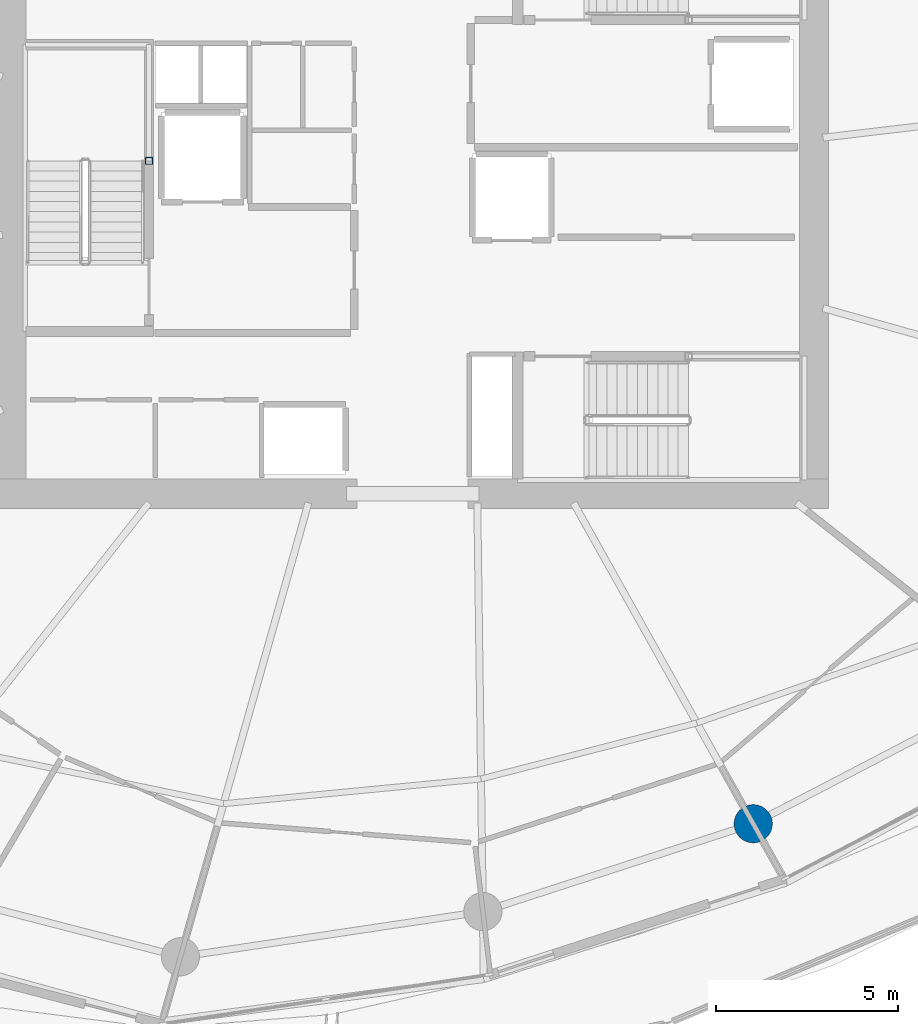
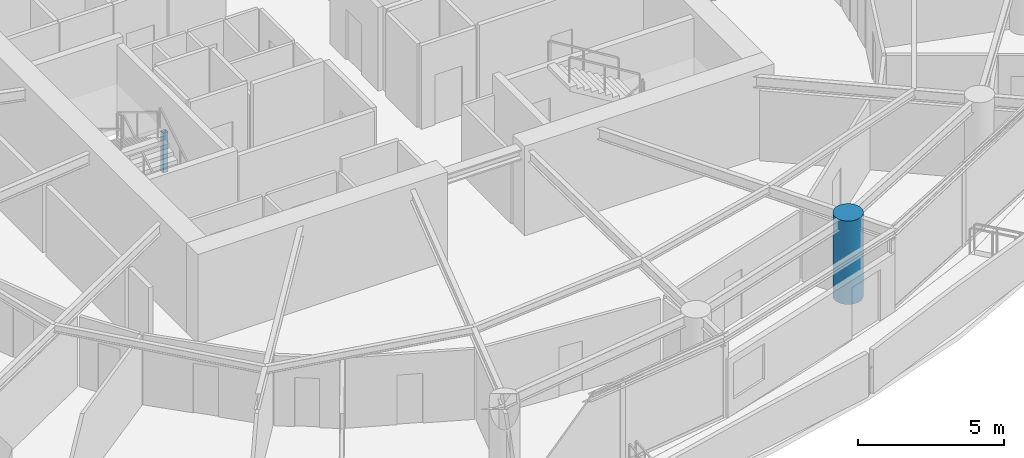
# One storey, part 2 of 20: 2 columns.
"""IFC4 building model written with IfcOpenShell, lengths in metres."""

import ifcopenshell
import ifcopenshell.guid

model = None  # the IFC model being written
_history = None  # IfcOwnerHistory: only IFC2X3 demands one
_inside = {}  # id of a spatial element -> (the spatial element, [elements in it])
_under = {}  # id of a project, library or spatial element -> (it, [spatial elements below it])
_declared = {}  # id of a project -> (the project, [libraries it declares])
_typed = {}  # id of a type object -> (the type object, [elements of that type])
_made_of = {}  # id of a material, layer set ... -> (it, [elements and type objects made of it])


def new_model(schema):
    """Start an empty IFC model of exactly this schema.

    Asked for "IFC4X3", IfcOpenShell would pick the latest addendum, in which some entities
    have other attributes; the version numbers below select the first issue.
    IFC2X3 requires an IfcOwnerHistory on every rooted entity: one is made here for all.
    """
    global model, _history
    if schema == "IFC4X3":
        model = ifcopenshell.file(schema_version=(4, 3, 0, 0))
    else:
        model = ifcopenshell.file(schema=schema)
    _inside.clear()
    _under.clear()
    _declared.clear()
    _typed.clear()
    _made_of.clear()
    _history = None
    if model.schema == "IFC2X3":
        org = make("IfcOrganization", Name="unknown")
        user = make(
            "IfcPersonAndOrganization",
            ThePerson=make("IfcPerson", FamilyName="unknown"),
            TheOrganization=org,
        )
        app = make(
            "IfcApplication",
            ApplicationDeveloper=org,
            Version="unknown",
            ApplicationFullName="unknown",
            ApplicationIdentifier="unknown",
        )
        _history = make(
            "IfcOwnerHistory",
            OwningUser=user,
            OwningApplication=app,
            ChangeAction="ADDED",
            CreationDate=0,
        )
    return model


def make(cls, **values):
    """One entity of the class cls with the attributes given. An attribute that is None is left unset."""
    return model.create_entity(
        cls, **{name: value for name, value in values.items() if value is not None}
    )


def rooted(cls, **values):
    """An entity with a GlobalId (a new one), such as an element, a storey or a relation."""
    return make(cls, GlobalId=ifcopenshell.guid.new(), OwnerHistory=_history, **values)


def si_unit(unit_type, name, prefix=None):
    """IfcSIUnit, for example si_unit("LENGTHUNIT", "METRE", prefix="MILLI")."""
    return make("IfcSIUnit", UnitType=unit_type, Prefix=prefix, Name=name)


def assignment(units):
    """IfcUnitAssignment: the units of a project."""
    return None if units is None else make("IfcUnitAssignment", Units=units)


def point(xyz):
    """IfcCartesianPoint."""
    return None if xyz is None else make("IfcCartesianPoint", Coordinates=xyz)


def direction(xyz):
    """IfcDirection."""
    return None if xyz is None else make("IfcDirection", DirectionRatios=xyz)


def frame(location, z_axis=None, x_axis=None):
    """IfcAxis2Placement3D, a coordinate frame: its origin and axes. An axis left out is left unset."""
    return make(
        "IfcAxis2Placement3D",
        Location=point(location),
        Axis=direction(z_axis),
        RefDirection=direction(x_axis),
    )


def frame_2d(location, x_axis=None):
    """IfcAxis2Placement2D, a coordinate frame in the plane: its origin and x axis."""
    return make(
        "IfcAxis2Placement2D", Location=point(location), RefDirection=direction(x_axis)
    )


def origin():
    """The frame at (0, 0, 0) with its axes left unset."""
    return frame((0.0, 0.0, 0.0))


def origin_2d():
    """The frame at (0, 0) in the plane with its x axis left unset."""
    return frame_2d((0.0, 0.0))


def place(relative_to, where):
    """IfcLocalPlacement: puts the frame where relative to a parent placement (None: the world)."""
    return make(
        "IfcLocalPlacement", PlacementRelTo=relative_to, RelativePlacement=where
    )


def context(
    kind, dimensions, precision=None, world=None, true_north=None, identifier=None
):
    """IfcGeometricRepresentationContext, for example the 3D "Model" context."""
    return make(
        "IfcGeometricRepresentationContext",
        ContextIdentifier=identifier,
        ContextType=kind,
        CoordinateSpaceDimension=dimensions,
        Precision=precision,
        WorldCoordinateSystem=world,
        TrueNorth=true_north,
    )


def subcontext(parent, identifier, kind, view, scale=None):
    """IfcGeometricRepresentationSubContext, for example "Body" below "Model"."""
    return make(
        "IfcGeometricRepresentationSubContext",
        ContextIdentifier=identifier,
        ContextType=kind,
        ParentContext=parent,
        TargetScale=scale,
        TargetView=view,
    )


def project(units=None, contexts=None):
    """IfcProject with its units and contexts."""
    return rooted(
        "IfcProject",
        Name="project",
        RepresentationContexts=contexts,
        UnitsInContext=assignment(units),
    )


def spatial(cls, under=None, at=None, **own):
    """A site, building, storey or space (cls), placed at a placement, below another one or the project."""
    s = rooted(cls, ObjectPlacement=at, **own)
    if under is not None:
        _under.setdefault(under.id(), (under, []))[1].append(s)
    return s


def profile(cls, at=None, kind="AREA", **sizes):
    """A parametric profile (cls). Its sizes go by their IFC names, for example OverallWidth=200.0."""
    return make(cls, ProfileType=kind, Position=at, **sizes)


def hollow_rectangle(**sizes):
    """IfcRectangleHollowProfileDef."""
    return profile("IfcRectangleHollowProfileDef", **sizes)


def circle(**sizes):
    """IfcCircleProfileDef."""
    return profile("IfcCircleProfileDef", **sizes)


def extrude(swept, where, along, depth):
    """IfcExtrudedAreaSolid: the profile swept, set in the frame where, extruded along a direction by depth."""
    return make(
        "IfcExtrudedAreaSolid",
        SweptArea=swept,
        Position=where,
        ExtrudedDirection=direction(along),
        Depth=depth,
    )


def shape(context_of_items, identifier, shape_type, items):
    """IfcShapeRepresentation: the items that make up one representation, for example the "Body"."""
    return make(
        "IfcShapeRepresentation",
        ContextOfItems=context_of_items,
        RepresentationIdentifier=identifier,
        RepresentationType=shape_type,
        Items=items,
    )


def material(Name=None, Category=None):
    """IfcMaterial."""
    return make("IfcMaterial", Name=Name, Category=Category)


def material_profile(
    of_material, cross_section, Name=None, Category=None, Priority=None
):
    """IfcMaterialProfile: a cross section and its material."""
    return make(
        "IfcMaterialProfile",
        Name=Name,
        Material=of_material,
        Profile=cross_section,
        Priority=Priority,
        Category=Category,
    )


def profile_set(profiles, Name=None, composite=None):
    """IfcMaterialProfileSet."""
    return make(
        "IfcMaterialProfileSet",
        Name=Name,
        MaterialProfiles=profiles,
        CompositeProfile=composite,
    )


def made_of(thing, what):
    """Note that an element or type object is made of a material, layer set ...; save() writes the relation."""
    if what is not None:
        _made_of.setdefault(what.id(), (what, []))[1].append(thing)
    return thing


def type_object(cls, material=None, **own):
    """A type object (cls), such as IfcWallType, which elements share."""
    return made_of(rooted(cls, **own), material)


def element(
    cls,
    number,
    at=None,
    inside=None,
    cuts=None,
    type_object=None,
    material=None,
    context=None,
    identifier="Body",
    shape_type=None,
    held_by="IfcProductDefinitionShape",
    body=None,
    shapes=None,
    **own,
):
    """One element of the class cls, such as IfcWall. Its Tag is "e" and its number.

    at: its placement. inside: the storey or other place that contains it. cuts: it is an
    opening in that element (IfcRelVoidsElement). A single representation is given by context,
    identifier, shape_type and body (its items); several are given by shapes. held_by: the class
    of the entity that holds the representations. save() writes the other relations.
    """
    e = rooted(cls, Tag="e%d" % number, ObjectPlacement=at, **own)
    if body is not None:
        shapes = [shape(context, identifier, shape_type, body)]
    if shapes is not None:
        e.Representation = make(held_by, Representations=shapes)
    if inside is not None:
        _inside.setdefault(inside.id(), (inside, []))[1].append(e)
    if cuts is not None:
        rooted(
            "IfcRelVoidsElement", RelatingBuildingElement=cuts, RelatedOpeningElement=e
        )
    if type_object is not None:
        _typed.setdefault(type_object.id(), (type_object, []))[1].append(e)
    return made_of(e, material)


def aggregate(whole, parts):
    """IfcRelAggregates: a whole, such as a stair, and the parts it consists of."""
    return rooted("IfcRelAggregates", RelatingObject=whole, RelatedObjects=parts)


def save(model, path):
    """Write the relations noted so far, then the file.

    IfcRelAggregates (storeys below a building ...), IfcRelContainedInSpatialStructure (elements
    in a storey), IfcRelDefinesByType, IfcRelAssociatesMaterial and IfcRelDeclares: one each for
    every whole, place, type object, material and project.
    """
    for whole, parts in _under.values():
        aggregate(whole, parts)
    for where, things in _inside.values():
        rooted(
            "IfcRelContainedInSpatialStructure",
            RelatedElements=things,
            RelatingStructure=where,
        )
    for kind, things in _typed.values():
        rooted("IfcRelDefinesByType", RelatedObjects=things, RelatingType=kind)
    for what, things in _made_of.values():
        rooted("IfcRelAssociatesMaterial", RelatedObjects=things, RelatingMaterial=what)
    for by, libraries in _declared.values():
        rooted("IfcRelDeclares", RelatingContext=by, RelatedDefinitions=libraries)
    model.write(path)


model = new_model("IFC4")

# Units and contexts
model_context = context("Model", 3, precision=1e-05, world=origin(), true_north=direction((0.0, 1.0)))
body_context = subcontext(model_context, "Body", "Model", "MODEL_VIEW")
ifc_project = project(units=[si_unit("LENGTHUNIT", "METRE"), si_unit("AREAUNIT", "SQUARE_METRE"), si_unit("VOLUMEUNIT", "CUBIC_METRE"), si_unit("PLANEANGLEUNIT", "RADIAN"), si_unit("MASSUNIT", "GRAM", prefix="KILO")], contexts=[model_context])

# Site, building, storey
site_placement = place(None, origin())
site = spatial("IfcSite", under=ifc_project, at=site_placement, CompositionType="ELEMENT")
building_placement = place(site_placement, origin())
building = spatial("IfcBuilding", under=site, at=building_placement, Name="Kazma Halo Residences", CompositionType="ELEMENT")
storey_placement = place(building_placement, frame((0.0, 0.0, 135.300048828125)))
storey = spatial("IfcBuildingStorey", under=building, at=storey_placement, Name="L33", CompositionType="ELEMENT", Elevation=135.300048828125)

# Columns
ifc_material_1 = material(Name="Steel S355", Category="steel")
ifc_material_profile_1 = material_profile(ifc_material_1, hollow_rectangle(XDim=0.199951171875, YDim=0.199951171875, WallThickness=0.010009765625, InnerFilletRadius=0.010009765625, OuterFilletRadius=0.02001953125, at=origin_2d()), Name="SHS200x200x10")
ifc_profile_set_1 = profile_set([ifc_material_profile_1], Name="Steel S355")
column_type_1 = type_object("IfcColumnType", Name="COL-LP-SHS200", PredefinedType="COLUMN", material=ifc_profile_set_1)
column_1_placement = place(storey_placement, frame((41.179931640625, 42.75, 0.0), z_axis=(0.0, 0.0, 1.0), x_axis=(1.0, 0.0, 0.0)))
element("IfcColumn", 1, at=column_1_placement, inside=storey, type_object=column_type_1, Name="L33 ST-01 landing pilaster 1", PredefinedType="COLUMN", context=body_context, shape_type="SweptSolid", body=[
    extrude(hollow_rectangle(XDim=0.199951171875, YDim=0.199951171875, WallThickness=0.010009765625, InnerFilletRadius=0.010009765625, OuterFilletRadius=0.02001953125, at=origin_2d()), origin(), (0.0, 0.0, 1.0), 1.669921875),
])
ifc_material_2 = material(Name="Concrete C80/95", Category="concrete")
ifc_material_profile_2 = material_profile(ifc_material_2, circle(Radius=0.52490234375, at=origin_2d()), Name="CIRC1050")
ifc_profile_set_2 = profile_set([ifc_material_profile_2], Name="Concrete C80/95")
column_type_2 = type_object("IfcColumnType", Name="COL-PERIM-1050", PredefinedType="COLUMN", material=ifc_profile_set_2)
column_2_placement = place(storey_placement, frame((57.781982421875, 24.53271484375, 0.0), z_axis=(0.0, 0.0, 1.0), x_axis=(1.0, 0.0, 0.0)))
element("IfcColumn", 2, at=column_2_placement, inside=storey, type_object=column_type_2, Name="L33 perimeter ring column P13", PredefinedType="COLUMN", context=body_context, shape_type="SweptSolid", body=[
    extrude(circle(Radius=0.52490234375, at=origin_2d()), origin(), (0.0, 0.0, 1.0), 3.5),
])

save(model, "model.ifc")
